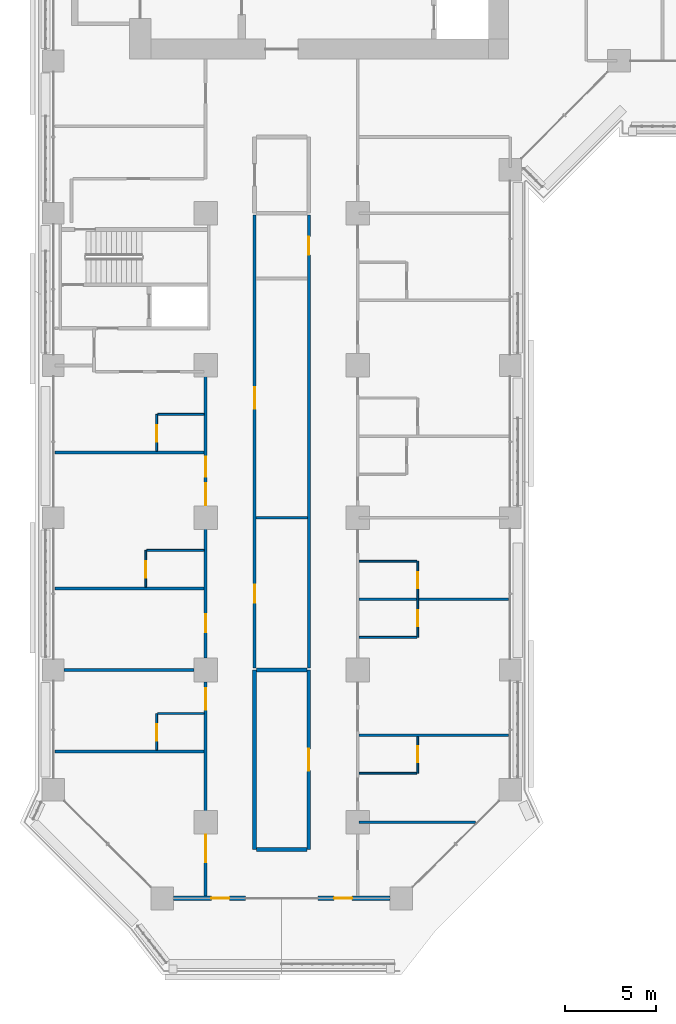
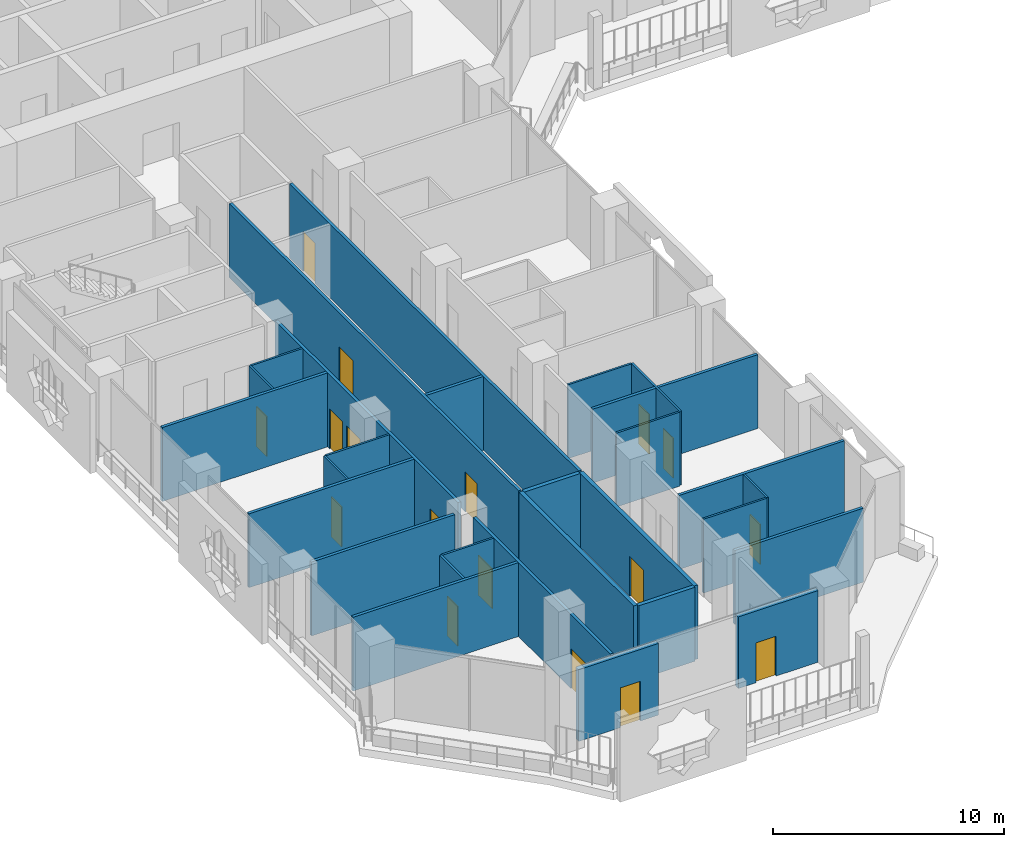
# One storey, part 13 of 28: 29 walls, 17 doors, 17 openings.
"""IFC4 building model written with IfcOpenShell, lengths in metres."""

from ifc_helpers import new_model, si_unit, direction, frame, frame_2d, origin, place, context, subcontext, project, spatial, rectangle, extrude, material, layer, layer_set, type_object, element, fill, save


model = new_model("IFC4")

# Units and contexts
model_context = context("Model", 3, precision=1e-05, world=origin(), true_north=direction((0.0, 1.0)))
body_context = subcontext(model_context, "Body", "Model", "MODEL_VIEW")
ifc_project = project(units=[si_unit("LENGTHUNIT", "METRE"), si_unit("AREAUNIT", "SQUARE_METRE"), si_unit("VOLUMEUNIT", "CUBIC_METRE"), si_unit("PLANEANGLEUNIT", "RADIAN"), si_unit("MASSUNIT", "GRAM", prefix="KILO")], contexts=[model_context])

# Site, building, storey
site_placement = place(None, origin())
site = spatial("IfcSite", under=ifc_project, at=site_placement, CompositionType="ELEMENT")
building_placement = place(site_placement, origin())
building = spatial("IfcBuilding", under=site, at=building_placement, Name="Kawkab Arch Medical Tower", CompositionType="ELEMENT")
storey_placement = place(building_placement, frame((0.0, 0.0, 81.199951171875)))
storey = spatial("IfcBuildingStorey", under=building, at=storey_placement, Name="L18", CompositionType="ELEMENT", Elevation=81.199951171875)

# Wall, opening, door
ifc_material_1 = material(Name="Bronze clad insulated wall panel")
ifc_layer_1 = layer(ifc_material_1, 0.25)
ifc_layer_set_1 = layer_set([ifc_layer_1], Name="Bronze clad insulated wall panel")
wall_type_1 = type_object("IfcWallType", Name="External wall bay 250", PredefinedType="SOLIDWALL", material=ifc_layer_set_1)
wall_1_placement = place(storey_placement, frame((6.625, -71.39990234375, 0.0), z_axis=(0.0, 0.0, 1.0), x_axis=(1.0, 0.0, 0.0)))
wall_1 = element("IfcWall", 1, at=wall_1_placement, inside=storey, type_object=wall_type_1, Name="External wall bay L18.R03.1.1", PredefinedType="SOLIDWALL", context=body_context, shape_type="SweptSolid", body=[
    extrude(rectangle(XDim=3.9833984375, YDim=0.25, at=frame_2d((1.99169921875, 0.0))), origin(), (0.0, 0.0, 1.0), 3.780029296875),
])
opening_1_placement = place(wall_1_placement, frame((2.091796875, 0.0, 0.0)))
opening_1 = element("IfcOpeningElement", 2, at=opening_1_placement, cuts=wall_1, Name="Opening W18-701", PredefinedType="OPENING", context=body_context, shape_type="SweptSolid", body=[
    extrude(rectangle(XDim=1.0, YDim=2.10009765625, at=frame_2d((0.5, 1.050048828125))), frame((0.0, 0.135009765625, 0.0), z_axis=(0.0, -1.0, 0.0), x_axis=(1.0, 0.0, 0.0)), (0.0, 0.0, 1.0), 0.27001953125),
])
ifc_material_2 = material(Name="Bronze anodised aluminium door with tinted glass", Category="aluminium")
door_type_1 = type_object("IfcDoorType", Name="Single external door 1000 x 2100", OperationType="SINGLE_SWING_LEFT", PredefinedType="DOOR", material=ifc_material_2)
door_1_placement = place(opening_1_placement, origin())
door_1 = element("IfcDoor", 3, at=door_1_placement, inside=storey, type_object=door_type_1, Name="External door L18.R03.1.1", OperationType="SINGLE_SWING_LEFT", OverallHeight=2.10009765625, OverallWidth=1.0, PredefinedType="DOOR", context=body_context, shape_type="SweptSolid", body=[
    extrude(rectangle(XDim=1.0, YDim=2.10009765625, at=frame_2d((0.5, 1.050048828125))), frame((0.0, 0.02490234375, 0.0), z_axis=(0.0, -1.0, 0.0), x_axis=(1.0, 0.0, 0.0)), (0.0, 0.0, 1.0), 0.050048828125),
])
fill(opening_1, door_1)

wall_2_placement = place(storey_placement, frame((14.591552734375, -71.39990234375, 0.0), z_axis=(0.0, 0.0, 1.0), x_axis=(1.0, 0.0, 0.0)))
wall_2 = element("IfcWall", 4, at=wall_2_placement, inside=storey, type_object=wall_type_1, Name="External wall bay L18.R03.1.3", PredefinedType="SOLIDWALL", context=body_context, shape_type="SweptSolid", body=[
    extrude(rectangle(XDim=3.9833984375, YDim=0.25, at=frame_2d((1.99169921875, 0.0))), origin(), (0.0, 0.0, 1.0), 3.780029296875),
])
opening_2_placement = place(wall_2_placement, frame((0.8916015625, 0.0, 0.0)))
opening_2 = element("IfcOpeningElement", 5, at=opening_2_placement, cuts=wall_2, Name="Opening W18-701", PredefinedType="OPENING", context=body_context, shape_type="SweptSolid", body=[
    extrude(rectangle(XDim=1.0, YDim=2.10009765625, at=frame_2d((0.5, 1.050048828125))), frame((0.0, 0.135009765625, 0.0), z_axis=(0.0, -1.0, 0.0), x_axis=(1.0, 0.0, 0.0)), (0.0, 0.0, 1.0), 0.27001953125),
])
door_2_placement = place(opening_2_placement, origin())
door_2 = element("IfcDoor", 6, at=door_2_placement, inside=storey, type_object=door_type_1, Name="External door L18.R03.1.3", OperationType="SINGLE_SWING_LEFT", OverallHeight=2.10009765625, OverallWidth=1.0, PredefinedType="DOOR", context=body_context, shape_type="SweptSolid", body=[
    extrude(rectangle(XDim=1.0, YDim=2.10009765625, at=frame_2d((0.5, 1.050048828125))), frame((0.0, 0.02490234375, 0.0), z_axis=(0.0, -1.0, 0.0), x_axis=(1.0, 0.0, 0.0)), (0.0, 0.0, 1.0), 0.050048828125),
])
fill(opening_2, door_2)

# Walls
ifc_material_3 = material(Name="Gypsum board partition on steel studs", Category="steel")
ifc_layer_2 = layer(ifc_material_3, 0.10009765625)
ifc_layer_set_2 = layer_set([ifc_layer_2], Name="Gypsum board partition on steel studs")
wall_type_2 = type_object("IfcWallType", Name="Partition 100", PredefinedType="PARTITIONING", material=ifc_layer_set_2)
wall_3_placement = place(storey_placement, frame((16.875, -64.5, 0.0), z_axis=(0.0, 0.0, 1.0), x_axis=(1.0, 0.0, 0.0)))
element("IfcWall", 7, at=wall_3_placement, inside=storey, type_object=wall_type_2, Name="Partition 100 w001", PredefinedType="PARTITIONING", context=body_context, shape_type="SweptSolid", body=[
    extrude(rectangle(XDim=3.175048828125, YDim=0.10009765625, at=frame_2d((1.58740234375, 0.0))), origin(), (0.0, 0.0, 1.0), 3.900146484375),
])
wall_4_placement = place(storey_placement, frame((5.75, -61.199951171875, 0.0), z_axis=(0.0, 0.0, 1.0), x_axis=(1.0, 0.0, 0.0)))
element("IfcWall", 8, at=wall_4_placement, inside=storey, type_object=wall_type_2, Name="Partition 100 w002", PredefinedType="PARTITIONING", context=body_context, shape_type="SweptSolid", body=[
    extrude(rectangle(XDim=2.574951171875, YDim=0.10009765625, at=frame_2d((1.28759765625, 0.0))), origin(), (0.0, 0.0, 1.0), 3.900146484375),
])
wall_5_placement = place(storey_placement, frame((16.875, -57.0, 0.0), z_axis=(0.0, 0.0, 1.0), x_axis=(1.0, 0.0, 0.0)))
element("IfcWall", 9, at=wall_5_placement, inside=storey, type_object=wall_type_2, Name="Partition 100 w003", PredefinedType="PARTITIONING", context=body_context, shape_type="SweptSolid", body=[
    extrude(rectangle(XDim=3.174072265625, YDim=0.10009765625, at=frame_2d((1.5869140625, 0.0))), origin(), (0.0, 0.0, 1.0), 3.900146484375),
])
wall_6_placement = place(storey_placement, frame((16.875, -52.800048828125, 0.0), z_axis=(0.0, 0.0, 1.0), x_axis=(1.0, 0.0, 0.0)))
element("IfcWall", 10, at=wall_6_placement, inside=storey, type_object=wall_type_2, Name="Partition 100 w004", PredefinedType="PARTITIONING", context=body_context, shape_type="SweptSolid", body=[
    extrude(rectangle(XDim=3.175048828125, YDim=0.10009765625, at=frame_2d((1.58740234375, 0.0))), origin(), (0.0, 0.0, 1.0), 3.900146484375),
])
wall_7_placement = place(storey_placement, frame((5.15087890625, -52.199951171875, 0.0), z_axis=(0.0, 0.0, 1.0), x_axis=(1.0, 0.0, 0.0)))
element("IfcWall", 11, at=wall_7_placement, inside=storey, type_object=wall_type_2, Name="Partition 100 w005", PredefinedType="PARTITIONING", context=body_context, shape_type="SweptSolid", body=[
    extrude(rectangle(XDim=3.174072265625, YDim=0.10009765625, at=frame_2d((1.5869140625, 0.0))), origin(), (0.0, 0.0, 1.0), 3.900146484375),
])
wall_8_placement = place(storey_placement, frame((5.75, -44.699951171875, 0.0), z_axis=(0.0, 0.0, 1.0), x_axis=(1.0, 0.0, 0.0)))
element("IfcWall", 12, at=wall_8_placement, inside=storey, type_object=wall_type_2, Name="Partition 100 w007", PredefinedType="PARTITIONING", context=body_context, shape_type="SweptSolid", body=[
    extrude(rectangle(XDim=2.574951171875, YDim=0.10009765625, at=frame_2d((1.28759765625, 0.0))), origin(), (0.0, 0.0, 1.0), 3.900146484375),
])

# Wall, opening, door
wall_9_placement = place(storey_placement, frame((5.10009765625, -54.22509765625, 0.0), z_axis=(0.0, 0.0, 1.0), x_axis=(0.0, 1.0, 0.0)))
wall_9 = element("IfcWall", 13, at=wall_9_placement, inside=storey, type_object=wall_type_2, Name="Partition 100 w020", PredefinedType="PARTITIONING", context=body_context, shape_type="SweptSolid", body=[
    extrude(rectangle(XDim=2.023193359375, YDim=0.10009765625, at=frame_2d((1.01171875, 0.0))), origin(), (0.0, 0.0, 1.0), 3.900146484375),
])
opening_3_placement = place(wall_9_placement, frame((0.52392578125, 0.0, 0.0)))
opening_3 = element("IfcOpeningElement", 14, at=opening_3_placement, cuts=wall_9, Name="Opening W18-016", PredefinedType="OPENING", context=body_context, shape_type="SweptSolid", body=[
    extrude(rectangle(XDim=0.89990234375, YDim=2.10009765625, at=frame_2d((0.449951171875, 1.050048828125))), frame((0.0, 0.06005859375, 0.0), z_axis=(0.0, -1.0, 0.0), x_axis=(1.0, 0.0, 0.0)), (0.0, 0.0, 1.0), 0.1201171875),
])
ifc_material_4 = material(Name="Timber door leaf", Category="wood")
door_type_2 = type_object("IfcDoorType", Name="Single door 900x2100", OperationType="NOTDEFINED", PredefinedType="DOOR", material=ifc_material_4)
door_3_placement = place(opening_3_placement, origin())
door_3 = element("IfcDoor", 15, at=door_3_placement, inside=storey, type_object=door_type_2, Name="Door W18-016", OperationType="SINGLE_SWING_RIGHT", OverallHeight=2.10009765625, OverallWidth=0.89990234375, PredefinedType="DOOR", context=body_context, shape_type="SweptSolid", body=[
    extrude(rectangle(XDim=0.89990234375, YDim=2.10009765625, at=frame_2d((0.449951171875, 1.050048828125))), frame((0.0, 0.02490234375, 0.0), z_axis=(0.0, -1.0, 0.0), x_axis=(1.0, 0.0, 0.0)), (0.0, 0.0, 1.0), 0.050048828125),
])
fill(opening_3, door_3)

wall_10_placement = place(storey_placement, frame((5.699951171875, -63.22509765625, 0.0), z_axis=(0.0, 0.0, 1.0), x_axis=(0.0, 1.0, 0.0)))
wall_10 = element("IfcWall", 16, at=wall_10_placement, inside=storey, type_object=wall_type_2, Name="Partition 100 w021", PredefinedType="PARTITIONING", context=body_context, shape_type="SweptSolid", body=[
    extrude(rectangle(XDim=2.025146484375, YDim=0.10009765625, at=frame_2d((1.0126953125, 0.0))), origin(), (0.0, 0.0, 1.0), 3.900146484375),
])
opening_4_placement = place(wall_10_placement, frame((0.52490234375, 0.0, 0.0)))
opening_4 = element("IfcOpeningElement", 17, at=opening_4_placement, cuts=wall_10, Name="Opening W18-017", PredefinedType="OPENING", context=body_context, shape_type="SweptSolid", body=[
    extrude(rectangle(XDim=0.89990234375, YDim=2.10009765625, at=frame_2d((0.449951171875, 1.050048828125))), frame((0.0, 0.06005859375, 0.0), z_axis=(0.0, -1.0, 0.0), x_axis=(1.0, 0.0, 0.0)), (0.0, 0.0, 1.0), 0.1201171875),
])
door_4_placement = place(opening_4_placement, origin())
door_4 = element("IfcDoor", 18, at=door_4_placement, inside=storey, type_object=door_type_2, Name="Door W18-017", OperationType="SINGLE_SWING_LEFT", OverallHeight=2.10009765625, OverallWidth=0.89990234375, PredefinedType="DOOR", context=body_context, shape_type="SweptSolid", body=[
    extrude(rectangle(XDim=0.89990234375, YDim=2.10009765625, at=frame_2d((0.449951171875, 1.050048828125))), frame((0.0, 0.02490234375, 0.0), z_axis=(0.0, -1.0, 0.0), x_axis=(1.0, 0.0, 0.0)), (0.0, 0.0, 1.0), 0.050048828125),
])
fill(opening_4, door_4)

wall_11_placement = place(storey_placement, frame((5.699951171875, -46.72509765625, 0.0), z_axis=(0.0, 0.0, 1.0), x_axis=(0.0, 1.0, 0.0)))
wall_11 = element("IfcWall", 19, at=wall_11_placement, inside=storey, type_object=wall_type_2, Name="Partition 100 w022", PredefinedType="PARTITIONING", context=body_context, shape_type="SweptSolid", body=[
    extrude(rectangle(XDim=2.025146484375, YDim=0.10009765625, at=frame_2d((1.0126953125, 0.0))), origin(), (0.0, 0.0, 1.0), 3.900146484375),
])
opening_5_placement = place(wall_11_placement, frame((0.52490234375, 0.0, 0.0)))
opening_5 = element("IfcOpeningElement", 20, at=opening_5_placement, cuts=wall_11, Name="Opening W18-015", PredefinedType="OPENING", context=body_context, shape_type="SweptSolid", body=[
    extrude(rectangle(XDim=0.89990234375, YDim=2.10009765625, at=frame_2d((0.449951171875, 1.050048828125))), frame((0.0, 0.06005859375, 0.0), z_axis=(0.0, -1.0, 0.0), x_axis=(1.0, 0.0, 0.0)), (0.0, 0.0, 1.0), 0.1201171875),
])
door_5_placement = place(opening_5_placement, origin())
door_5 = element("IfcDoor", 21, at=door_5_placement, inside=storey, type_object=door_type_2, Name="Door W18-015", OperationType="SINGLE_SWING_LEFT", OverallHeight=2.10009765625, OverallWidth=0.89990234375, PredefinedType="DOOR", context=body_context, shape_type="SweptSolid", body=[
    extrude(rectangle(XDim=0.89990234375, YDim=2.10009765625, at=frame_2d((0.449951171875, 1.050048828125))), frame((0.0, 0.02490234375, 0.0), z_axis=(0.0, -1.0, 0.0), x_axis=(1.0, 0.0, 0.0)), (0.0, 0.0, 1.0), 0.050048828125),
])
fill(opening_5, door_5)

wall_12_placement = place(storey_placement, frame((20.10009765625, -64.5, 0.0), z_axis=(0.0, 0.0, 1.0), x_axis=(0.0, 1.0, 0.0)))
wall_12 = element("IfcWall", 22, at=wall_12_placement, inside=storey, type_object=wall_type_2, Name="Partition 100 w025", PredefinedType="PARTITIONING", context=body_context, shape_type="SweptSolid", body=[
    extrude(rectangle(XDim=2.02490234375, YDim=0.10009765625, at=frame_2d((1.012451171875, 0.0))), origin(), (0.0, 0.0, 1.0), 3.900146484375),
])
opening_6_placement = place(wall_12_placement, frame((0.60009765625, 0.0, 0.0)))
opening_6 = element("IfcOpeningElement", 23, at=opening_6_placement, cuts=wall_12, Name="Opening W18-023", PredefinedType="OPENING", context=body_context, shape_type="SweptSolid", body=[
    extrude(rectangle(XDim=0.89990234375, YDim=2.10009765625, at=frame_2d((0.449951171875, 1.050048828125))), frame((0.0, 0.06005859375, 0.0), z_axis=(0.0, -1.0, 0.0), x_axis=(1.0, 0.0, 0.0)), (0.0, 0.0, 1.0), 0.1201171875),
])
door_6_placement = place(opening_6_placement, origin())
door_6 = element("IfcDoor", 24, at=door_6_placement, inside=storey, type_object=door_type_2, Name="Door W18-023", OperationType="SINGLE_SWING_LEFT", OverallHeight=2.10009765625, OverallWidth=0.89990234375, PredefinedType="DOOR", context=body_context, shape_type="SweptSolid", body=[
    extrude(rectangle(XDim=0.89990234375, YDim=2.10009765625, at=frame_2d((0.449951171875, 1.050048828125))), frame((0.0, 0.02490234375, 0.0), z_axis=(0.0, -1.0, 0.0), x_axis=(1.0, 0.0, 0.0)), (0.0, 0.0, 1.0), 0.050048828125),
])
fill(opening_6, door_6)

# Wall, openings, doors
wall_13_placement = place(storey_placement, frame((20.10009765625, -56.998046875, 0.0), z_axis=(0.0, 0.0, 1.0), x_axis=(0.0, 1.0, 0.0)))
wall_13 = element("IfcWall", 25, at=wall_13_placement, inside=storey, type_object=wall_type_2, Name="Partition 100 w026", PredefinedType="PARTITIONING", context=body_context, shape_type="SweptSolid", body=[
    extrude(rectangle(XDim=4.197998046875, YDim=0.10009765625, at=frame_2d((2.09912109375, 0.0))), origin(), (0.0, 0.0, 1.0), 3.900146484375),
])
opening_7_placement = place(wall_13_placement, frame((2.697998046875, 0.0, 0.0)))
opening_7 = element("IfcOpeningElement", 26, at=opening_7_placement, cuts=wall_13, Name="Opening W18-021", PredefinedType="OPENING", context=body_context, shape_type="SweptSolid", body=[
    extrude(rectangle(XDim=0.89990234375, YDim=2.10009765625, at=frame_2d((0.449951171875, 1.050048828125))), frame((0.0, 0.06005859375, 0.0), z_axis=(0.0, -1.0, 0.0), x_axis=(1.0, 0.0, 0.0)), (0.0, 0.0, 1.0), 0.1201171875),
])
opening_8_placement = place(wall_13_placement, frame((0.59912109375, 0.0, 0.0)))
opening_8 = element("IfcOpeningElement", 27, at=opening_8_placement, cuts=wall_13, Name="Opening W18-022", PredefinedType="OPENING", context=body_context, shape_type="SweptSolid", body=[
    extrude(rectangle(XDim=0.89990234375, YDim=2.10009765625, at=frame_2d((0.449951171875, 1.050048828125))), frame((0.0, 0.06005859375, 0.0), z_axis=(0.0, -1.0, 0.0), x_axis=(1.0, 0.0, 0.0)), (0.0, 0.0, 1.0), 0.1201171875),
])
door_7_placement = place(opening_7_placement, origin())
door_7 = element("IfcDoor", 28, at=door_7_placement, inside=storey, type_object=door_type_2, Name="Door W18-021", OperationType="SINGLE_SWING_LEFT", OverallHeight=2.10009765625, OverallWidth=0.89990234375, PredefinedType="DOOR", context=body_context, shape_type="SweptSolid", body=[
    extrude(rectangle(XDim=0.89990234375, YDim=2.10009765625, at=frame_2d((0.449951171875, 1.050048828125))), frame((0.0, 0.02490234375, 0.0), z_axis=(0.0, -1.0, 0.0), x_axis=(1.0, 0.0, 0.0)), (0.0, 0.0, 1.0), 0.050048828125),
])
fill(opening_7, door_7)
door_8_placement = place(opening_8_placement, origin())
door_8 = element("IfcDoor", 29, at=door_8_placement, inside=storey, type_object=door_type_2, Name="Door W18-022", OperationType="SINGLE_SWING_RIGHT", OverallHeight=2.10009765625, OverallWidth=0.89990234375, PredefinedType="DOOR", context=body_context, shape_type="SweptSolid", body=[
    extrude(rectangle(XDim=0.89990234375, YDim=2.10009765625, at=frame_2d((0.449951171875, 1.050048828125))), frame((0.0, 0.02490234375, 0.0), z_axis=(0.0, -1.0, 0.0), x_axis=(1.0, 0.0, 0.0)), (0.0, 0.0, 1.0), 0.050048828125),
])
fill(opening_8, door_8)

# Walls
ifc_material_5 = material(Name="Gypsum board partition on steel studs, mineral wool", Category="steel")
ifc_layer_3 = layer(ifc_material_5, 0.14990234375)
ifc_layer_set_3 = layer_set([ifc_layer_3], Name="Gypsum board partition on steel studs, mineral wool")
wall_type_3 = type_object("IfcWallType", Name="Partition 150", PredefinedType="PARTITIONING", material=ifc_layer_set_3)
wall_14_placement = place(storey_placement, frame((16.875, -67.199951171875, 0.0), z_axis=(0.0, 0.0, 1.0), x_axis=(1.0, 0.0, 0.0)))
element("IfcWall", 30, at=wall_14_placement, inside=storey, type_object=wall_type_3, Name="Partition 150 w039", PredefinedType="PARTITIONING", context=body_context, shape_type="SweptSolid", body=[
    extrude(rectangle(XDim=6.412109375, YDim=0.14990234375, at=frame_2d((3.2060546875, 0.0))), origin(), (0.0, 0.0, 1.0), 3.900146484375),
])
wall_15_placement = place(storey_placement, frame((0.080078125, -63.300048828125, 0.0), z_axis=(0.0, 0.0, 1.0), x_axis=(1.0, 0.0, 0.0)))
element("IfcWall", 31, at=wall_15_placement, inside=storey, type_object=wall_type_3, Name="Partition 150 w040", PredefinedType="PARTITIONING", context=body_context, shape_type="SweptSolid", body=[
    extrude(rectangle(XDim=8.244873046875, YDim=0.14990234375, at=frame_2d((4.12255859375, 0.0))), origin(), (0.0, 0.0, 1.0), 3.900146484375),
])
wall_16_placement = place(storey_placement, frame((16.875, -62.39990234375, 0.0), z_axis=(0.0, 0.0, 1.0), x_axis=(1.0, 0.0, 0.0)))
element("IfcWall", 32, at=wall_16_placement, inside=storey, type_object=wall_type_3, Name="Partition 150 w041", PredefinedType="PARTITIONING", context=body_context, shape_type="SweptSolid", body=[
    extrude(rectangle(XDim=8.2451171875, YDim=0.14990234375, at=frame_2d((4.12255859375, 0.0))), origin(), (0.0, 0.0, 1.0), 3.900146484375),
])
wall_17_placement = place(storey_placement, frame((0.60009765625, -58.800048828125, 0.0), z_axis=(0.0, 0.0, 1.0), x_axis=(1.0, 0.0, 0.0)))
element("IfcWall", 33, at=wall_17_placement, inside=storey, type_object=wall_type_3, Name="Partition 150 w042", PredefinedType="PARTITIONING", context=body_context, shape_type="SweptSolid", body=[
    extrude(rectangle(XDim=7.14990234375, YDim=0.14990234375, at=frame_2d((3.574951171875, 0.0))), origin(), (0.0, 0.0, 1.0), 3.900146484375),
])
wall_18_placement = place(storey_placement, frame((16.875, -54.89990234375, 0.0), z_axis=(0.0, 0.0, 1.0), x_axis=(1.0, 0.0, 0.0)))
element("IfcWall", 34, at=wall_18_placement, inside=storey, type_object=wall_type_3, Name="Partition 150 w043", PredefinedType="PARTITIONING", context=body_context, shape_type="SweptSolid", body=[
    extrude(rectangle(XDim=8.2451171875, YDim=0.14990234375, at=frame_2d((4.12255859375, 0.0))), origin(), (0.0, 0.0, 1.0), 3.900146484375),
])
wall_19_placement = place(storey_placement, frame((0.080078125, -54.300048828125, 0.0), z_axis=(0.0, 0.0, 1.0), x_axis=(1.0, 0.0, 0.0)))
element("IfcWall", 35, at=wall_19_placement, inside=storey, type_object=wall_type_3, Name="Partition 150 w044", PredefinedType="PARTITIONING", context=body_context, shape_type="SweptSolid", body=[
    extrude(rectangle(XDim=8.244873046875, YDim=0.14990234375, at=frame_2d((4.12255859375, 0.0))), origin(), (0.0, 0.0, 1.0), 3.900146484375),
])
wall_20_placement = place(storey_placement, frame((11.175048828125, -50.39990234375, 0.0), z_axis=(0.0, 0.0, 1.0), x_axis=(1.0, 0.0, 0.0)))
element("IfcWall", 36, at=wall_20_placement, inside=storey, type_object=wall_type_3, Name="Partition 150 w045", PredefinedType="PARTITIONING", context=body_context, shape_type="SweptSolid", body=[
    extrude(rectangle(XDim=2.849853515625, YDim=0.14990234375, at=frame_2d((1.4248046875, 0.0))), origin(), (0.0, 0.0, 1.0), 3.900146484375),
])
wall_21_placement = place(storey_placement, frame((0.080078125, -46.800048828125, 0.0), z_axis=(0.0, 0.0, 1.0), x_axis=(1.0, 0.0, 0.0)))
element("IfcWall", 37, at=wall_21_placement, inside=storey, type_object=wall_type_3, Name="Partition 150 w047", PredefinedType="PARTITIONING", context=body_context, shape_type="SweptSolid", body=[
    extrude(rectangle(XDim=8.244873046875, YDim=0.14990234375, at=frame_2d((4.12255859375, 0.0))), origin(), (0.0, 0.0, 1.0), 3.900146484375),
])

# Wall, openings, doors
wall_22_placement = place(storey_placement, frame((8.39990234375, -71.320068359375, 0.0), z_axis=(0.0, 0.0, 1.0), x_axis=(0.0, 1.0, 0.0)))
wall_22 = element("IfcWall", 38, at=wall_22_placement, inside=storey, type_object=wall_type_3, Name="Partition 150 w071", PredefinedType="PARTITIONING", context=body_context, shape_type="SweptSolid", body=[
    extrude(rectangle(XDim=11.8701171875, YDim=0.14990234375, at=frame_2d((5.93505859375, 0.0))), origin(), (0.0, 0.0, 1.0), 3.900146484375),
])
opening_9_placement = place(wall_22_placement, frame((10.320068359375, 0.0, 0.0)))
opening_9 = element("IfcOpeningElement", 39, at=opening_9_placement, cuts=wall_22, Name="Opening W18-063", PredefinedType="OPENING", context=body_context, shape_type="SweptSolid", body=[
    extrude(rectangle(XDim=1.199951171875, YDim=2.10009765625, at=frame_2d((0.60009765625, 1.050048828125))), frame((0.0, 0.0849609375, 0.0), z_axis=(0.0, -1.0, 0.0), x_axis=(1.0, 0.0, 0.0)), (0.0, 0.0, 1.0), 0.169921875),
])
opening_10_placement = place(wall_22_placement, frame((1.919921875, 0.0, 0.0)))
opening_10 = element("IfcOpeningElement", 40, at=opening_10_placement, cuts=wall_22, Name="Opening W18-002", PredefinedType="OPENING", context=body_context, shape_type="SweptSolid", body=[
    extrude(rectangle(XDim=1.5, YDim=2.10009765625, at=frame_2d((0.75, 1.050048828125))), frame((0.0, 0.0849609375, 0.0), z_axis=(0.0, -1.0, 0.0), x_axis=(1.0, 0.0, 0.0)), (0.0, 0.0, 1.0), 0.169921875),
])
ifc_material_6 = material(Name="Hollow metal door leaf")
door_type_3 = type_object("IfcDoorType", Name="Double door 1500x2100 FD30S", OperationType="NOTDEFINED", PredefinedType="DOOR", material=ifc_material_6)
door_9_placement = place(opening_10_placement, origin())
door_9 = element("IfcDoor", 41, at=door_9_placement, inside=storey, type_object=door_type_3, Name="Door W18-002", OperationType="DOUBLE_DOOR_SINGLE_SWING", OverallHeight=2.10009765625, OverallWidth=1.5, PredefinedType="DOOR", context=body_context, shape_type="SweptSolid", body=[
    extrude(rectangle(XDim=1.5, YDim=2.10009765625, at=frame_2d((0.75, 1.050048828125))), frame((0.0, 0.02490234375, 0.0), z_axis=(0.0, -1.0, 0.0), x_axis=(1.0, 0.0, 0.0)), (0.0, 0.0, 1.0), 0.050048828125),
])
fill(opening_10, door_9)
ifc_material_7 = material(Name="Hollow metal door leaf")
door_type_4 = type_object("IfcDoorType", Name="Single door 1200x2100 FD30S", OperationType="NOTDEFINED", PredefinedType="DOOR", material=ifc_material_7)
door_10_placement = place(opening_9_placement, origin())
door_10 = element("IfcDoor", 42, at=door_10_placement, inside=storey, type_object=door_type_4, Name="Door W18-063", OperationType="SINGLE_SWING_RIGHT", OverallHeight=2.10009765625, OverallWidth=1.199951171875, PredefinedType="DOOR", context=body_context, shape_type="SweptSolid", body=[
    extrude(rectangle(XDim=1.199951171875, YDim=2.10009765625, at=frame_2d((0.60009765625, 1.050048828125))), frame((0.0, 0.02490234375, 0.0), z_axis=(0.0, -1.0, 0.0), x_axis=(1.0, 0.0, 0.0)), (0.0, 0.0, 1.0), 0.050048828125),
])
fill(opening_9, door_10)

wall_23_placement = place(storey_placement, frame((8.39990234375, -58.14990234375, 0.0), z_axis=(0.0, 0.0, 1.0), x_axis=(0.0, 1.0, 0.0)))
wall_23 = element("IfcWall", 43, at=wall_23_placement, inside=storey, type_object=wall_type_3, Name="Partition 150 w072", PredefinedType="PARTITIONING", context=body_context, shape_type="SweptSolid", body=[
    extrude(rectangle(XDim=15.7998046875, YDim=0.14990234375, at=frame_2d((7.89990234375, 0.0))), origin(), (0.0, 0.0, 1.0), 3.900146484375),
])
opening_11_placement = place(wall_23_placement, frame((8.449951171875, 0.0, 0.0)))
opening_11 = element("IfcOpeningElement", 44, at=opening_11_placement, cuts=wall_23, Name="Opening W18-062", PredefinedType="OPENING", context=body_context, shape_type="SweptSolid", body=[
    extrude(rectangle(XDim=1.199951171875, YDim=2.10009765625, at=frame_2d((0.60009765625, 1.050048828125))), frame((0.0, 0.0849609375, 0.0), z_axis=(0.0, -1.0, 0.0), x_axis=(1.0, 0.0, 0.0)), (0.0, 0.0, 1.0), 0.169921875),
])
opening_12_placement = place(wall_23_placement, frame((10.0, 0.0, 0.0)))
opening_12 = element("IfcOpeningElement", 45, at=opening_12_placement, cuts=wall_23, Name="Opening W18-043", PredefinedType="OPENING", context=body_context, shape_type="SweptSolid", body=[
    extrude(rectangle(XDim=1.10009765625, YDim=2.10009765625, at=frame_2d((0.550048828125, 1.050048828125))), frame((0.0, 0.0849609375, 0.0), z_axis=(0.0, -1.0, 0.0), x_axis=(1.0, 0.0, 0.0)), (0.0, 0.0, 1.0), 0.169921875),
])
opening_13_placement = place(wall_23_placement, frame((1.425048828125, 0.0, 0.0)))
opening_13 = element("IfcOpeningElement", 46, at=opening_13_placement, cuts=wall_23, Name="Opening W18-026", PredefinedType="OPENING", context=body_context, shape_type="SweptSolid", body=[
    extrude(rectangle(XDim=1.0, YDim=2.10009765625, at=frame_2d((0.5, 1.050048828125))), frame((0.0, 0.0849609375, 0.0), z_axis=(0.0, -1.0, 0.0), x_axis=(1.0, 0.0, 0.0)), (0.0, 0.0, 1.0), 0.169921875),
])
ifc_material_8 = material(Name="Timber door leaf", Category="wood")
door_type_5 = type_object("IfcDoorType", Name="Single door 1000x2100", OperationType="NOTDEFINED", PredefinedType="DOOR", material=ifc_material_8)
door_11_placement = place(opening_13_placement, origin())
door_11 = element("IfcDoor", 47, at=door_11_placement, inside=storey, type_object=door_type_5, Name="Door W18-026", OperationType="SINGLE_SWING_LEFT", OverallHeight=2.10009765625, OverallWidth=1.0, PredefinedType="DOOR", context=body_context, shape_type="SweptSolid", body=[
    extrude(rectangle(XDim=1.0, YDim=2.10009765625, at=frame_2d((0.5, 1.050048828125))), frame((0.0, 0.02490234375, 0.0), z_axis=(0.0, -1.0, 0.0), x_axis=(1.0, 0.0, 0.0)), (0.0, 0.0, 1.0), 0.050048828125),
])
fill(opening_13, door_11)
ifc_material_9 = material(Name="Hollow metal door leaf")
door_type_6 = type_object("IfcDoorType", Name="Single door 1100x2100 FD30S", OperationType="NOTDEFINED", PredefinedType="DOOR", material=ifc_material_9)
door_12_placement = place(opening_12_placement, origin())
door_12 = element("IfcDoor", 48, at=door_12_placement, inside=storey, type_object=door_type_6, Name="Door W18-043", OperationType="SINGLE_SWING_RIGHT", OverallHeight=2.10009765625, OverallWidth=1.10009765625, PredefinedType="DOOR", context=body_context, shape_type="SweptSolid", body=[
    extrude(rectangle(XDim=1.10009765625, YDim=2.10009765625, at=frame_2d((0.550048828125, 1.050048828125))), frame((0.0, 0.02490234375, 0.0), z_axis=(0.0, -1.0, 0.0), x_axis=(1.0, 0.0, 0.0)), (0.0, 0.0, 1.0), 0.050048828125),
])
fill(opening_12, door_12)
door_13_placement = place(opening_11_placement, origin())
door_13 = element("IfcDoor", 49, at=door_13_placement, inside=storey, type_object=door_type_4, Name="Door W18-062", OperationType="SINGLE_SWING_RIGHT", OverallHeight=2.10009765625, OverallWidth=1.199951171875, PredefinedType="DOOR", context=body_context, shape_type="SweptSolid", body=[
    extrude(rectangle(XDim=1.199951171875, YDim=2.10009765625, at=frame_2d((0.60009765625, 1.050048828125))), frame((0.0, 0.02490234375, 0.0), z_axis=(0.0, -1.0, 0.0), x_axis=(1.0, 0.0, 0.0)), (0.0, 0.0, 1.0), 0.050048828125),
])
fill(opening_11, door_13)

wall_24_placement = place(storey_placement, frame((11.10009765625, -58.699951171875, 0.0), z_axis=(0.0, 0.0, 1.0), x_axis=(0.0, 1.0, 0.0)))
wall_24 = element("IfcWall", 50, at=wall_24_placement, inside=storey, type_object=wall_type_3, Name="Partition 150 w074", PredefinedType="PARTITIONING", context=body_context, shape_type="SweptSolid", body=[
    extrude(rectangle(XDim=25.0, YDim=0.14990234375, at=frame_2d((12.5, 0.0))), origin(), (0.0, 0.0, 1.0), 3.900146484375),
])
opening_14_placement = place(wall_24_placement, frame((14.300048828125, 0.0, 0.0)))
opening_14 = element("IfcOpeningElement", 51, at=opening_14_placement, cuts=wall_24, Name="Opening W18-064", PredefinedType="OPENING", context=body_context, shape_type="SweptSolid", body=[
    extrude(rectangle(XDim=1.199951171875, YDim=2.10009765625, at=frame_2d((0.60009765625, 1.050048828125))), frame((0.0, 0.0849609375, 0.0), z_axis=(0.0, -1.0, 0.0), x_axis=(1.0, 0.0, 0.0)), (0.0, 0.0, 1.0), 0.169921875),
])
opening_15_placement = place(wall_24_placement, frame((3.60009765625, 0.0, 0.0)))
opening_15 = element("IfcOpeningElement", 52, at=opening_15_placement, cuts=wall_24, Name="Opening W18-039", PredefinedType="OPENING", context=body_context, shape_type="SweptSolid", body=[
    extrude(rectangle(XDim=1.0, YDim=2.10009765625, at=frame_2d((0.5, 1.050048828125))), frame((0.0, 0.0849609375, 0.0), z_axis=(0.0, -1.0, 0.0), x_axis=(1.0, 0.0, 0.0)), (0.0, 0.0, 1.0), 0.169921875),
])
ifc_material_10 = material(Name="Hollow metal door leaf")
door_type_7 = type_object("IfcDoorType", Name="Single door 1000x2100 FD30S", OperationType="NOTDEFINED", PredefinedType="DOOR", material=ifc_material_10)
door_14_placement = place(opening_15_placement, origin())
door_14 = element("IfcDoor", 53, at=door_14_placement, inside=storey, type_object=door_type_7, Name="Door W18-039", OperationType="SINGLE_SWING_RIGHT", OverallHeight=2.10009765625, OverallWidth=1.0, PredefinedType="DOOR", context=body_context, shape_type="SweptSolid", body=[
    extrude(rectangle(XDim=1.0, YDim=2.10009765625, at=frame_2d((0.5, 1.050048828125))), frame((0.0, 0.02490234375, 0.0), z_axis=(0.0, -1.0, 0.0), x_axis=(1.0, 0.0, 0.0)), (0.0, 0.0, 1.0), 0.050048828125),
])
fill(opening_15, door_14)
door_15_placement = place(opening_14_placement, origin())
door_15 = element("IfcDoor", 54, at=door_15_placement, inside=storey, type_object=door_type_4, Name="Door W18-064", OperationType="SINGLE_SWING_LEFT", OverallHeight=2.10009765625, OverallWidth=1.199951171875, PredefinedType="DOOR", context=body_context, shape_type="SweptSolid", body=[
    extrude(rectangle(XDim=1.199951171875, YDim=2.10009765625, at=frame_2d((0.60009765625, 1.050048828125))), frame((0.0, 0.02490234375, 0.0), z_axis=(0.0, -1.0, 0.0), x_axis=(1.0, 0.0, 0.0)), (0.0, 0.0, 1.0), 0.050048828125),
])
fill(opening_14, door_15)

# Wall, opening, door
wall_25_placement = place(storey_placement, frame((14.10009765625, -58.699951171875, 0.0), z_axis=(0.0, 0.0, 1.0), x_axis=(0.0, 1.0, 0.0)))
wall_25 = element("IfcWall", 55, at=wall_25_placement, inside=storey, type_object=wall_type_3, Name="Partition 150 w075", PredefinedType="PARTITIONING", context=body_context, shape_type="SweptSolid", body=[
    extrude(rectangle(XDim=25.0, YDim=0.14990234375, at=frame_2d((12.5, 0.0))), origin(), (0.0, 0.0, 1.0), 3.900146484375),
])
opening_16_placement = place(wall_25_placement, frame((22.800048828125, 0.0, 0.0)))
opening_16 = element("IfcOpeningElement", 56, at=opening_16_placement, cuts=wall_25, Name="Opening W18-038", PredefinedType="OPENING", context=body_context, shape_type="SweptSolid", body=[
    extrude(rectangle(XDim=1.0, YDim=2.10009765625, at=frame_2d((0.5, 1.050048828125))), frame((0.0, 0.0849609375, 0.0), z_axis=(0.0, -1.0, 0.0), x_axis=(1.0, 0.0, 0.0)), (0.0, 0.0, 1.0), 0.169921875),
])
door_16_placement = place(opening_16_placement, origin())
door_16 = element("IfcDoor", 57, at=door_16_placement, inside=storey, type_object=door_type_7, Name="Door W18-038", OperationType="SINGLE_SWING_RIGHT", OverallHeight=2.10009765625, OverallWidth=1.0, PredefinedType="DOOR", context=body_context, shape_type="SweptSolid", body=[
    extrude(rectangle(XDim=1.0, YDim=2.10009765625, at=frame_2d((0.5, 1.050048828125))), frame((0.0, 0.02490234375, 0.0), z_axis=(0.0, -1.0, 0.0), x_axis=(1.0, 0.0, 0.0)), (0.0, 0.0, 1.0), 0.050048828125),
])
fill(opening_16, door_16)

# Walls
ifc_material_11 = material(Name="Fire-rated gypsum board partition on steel studs", Category="steel")
ifc_layer_4 = layer(ifc_material_11, 0.199951171875)
ifc_layer_set_4 = layer_set([ifc_layer_4], Name="Fire-rated gypsum board partition on steel studs")
wall_type_4 = type_object("IfcWallType", Name="Protected partition 200", PredefinedType="PARTITIONING", material=ifc_layer_set_4)
for number, where, z_axis, x_axis, name in (
    (58, (11.199951171875, -68.699951171875, 0.0), (0.0, 0.0, 1.0), (1.0, 0.0, 0.0), "Protected partition 200 w105"),
    (59, (11.199951171875, -58.800048828125, 0.0), (0.0, 0.0, 1.0), (1.0, 0.0, 0.0), "Protected partition 200 w106"),
):
    element("IfcWall", number, at=place(storey_placement, frame(where, z_axis=z_axis, x_axis=x_axis)), inside=storey, type_object=wall_type_4, Name=name, PredefinedType="PARTITIONING", context=body_context, shape_type="SweptSolid", body=[
        extrude(rectangle(XDim=2.800048828125, YDim=0.199951171875, at=frame_2d((1.39990234375, 0.0))), origin(), (0.0, 0.0, 1.0), 3.900146484375),
    ])
wall_26_placement = place(storey_placement, frame((11.10009765625, -68.699951171875, 0.0), z_axis=(0.0, 0.0, 1.0), x_axis=(0.0, 1.0, 0.0)))
element("IfcWall", 60, at=wall_26_placement, inside=storey, type_object=wall_type_4, Name="Protected partition 200 w109", PredefinedType="PARTITIONING", context=body_context, shape_type="SweptSolid", body=[
    extrude(rectangle(XDim=9.89990234375, YDim=0.199951171875, at=frame_2d((4.949951171875, 0.0))), origin(), (0.0, 0.0, 1.0), 3.900146484375),
])

# Wall, opening, door
wall_27_placement = place(storey_placement, frame((14.10009765625, -68.699951171875, 0.0), z_axis=(0.0, 0.0, 1.0), x_axis=(0.0, 1.0, 0.0)))
wall_27 = element("IfcWall", 61, at=wall_27_placement, inside=storey, type_object=wall_type_4, Name="Protected partition 200 w111", PredefinedType="PARTITIONING", context=body_context, shape_type="SweptSolid", body=[
    extrude(rectangle(XDim=9.89990234375, YDim=0.199951171875, at=frame_2d((4.949951171875, 0.0))), origin(), (0.0, 0.0, 1.0), 3.900146484375),
])
opening_17_placement = place(wall_27_placement, frame((4.35009765625, 0.0, 0.0)))
opening_17 = element("IfcOpeningElement", 62, at=opening_17_placement, cuts=wall_27, Name="Opening W18-072", PredefinedType="OPENING", context=body_context, shape_type="SweptSolid", body=[
    extrude(rectangle(XDim=1.199951171875, YDim=2.10009765625, at=frame_2d((0.60009765625, 1.050048828125))), frame((0.0, 0.10986328125, 0.0), z_axis=(0.0, -1.0, 0.0), x_axis=(1.0, 0.0, 0.0)), (0.0, 0.0, 1.0), 0.219970703125),
])
ifc_material_12 = material(Name="Hollow metal door leaf")
door_type_8 = type_object("IfcDoorType", Name="Single door 1200x2100 FD60", OperationType="NOTDEFINED", PredefinedType="DOOR", material=ifc_material_12)
door_17_placement = place(opening_17_placement, origin())
door_17 = element("IfcDoor", 63, at=door_17_placement, inside=storey, type_object=door_type_8, Name="Door W18-072", OperationType="SINGLE_SWING_LEFT", OverallHeight=2.10009765625, OverallWidth=1.199951171875, PredefinedType="DOOR", context=body_context, shape_type="SweptSolid", body=[
    extrude(rectangle(XDim=1.199951171875, YDim=2.10009765625, at=frame_2d((0.60009765625, 1.050048828125))), frame((0.0, 0.02490234375, 0.0), z_axis=(0.0, -1.0, 0.0), x_axis=(1.0, 0.0, 0.0)), (0.0, 0.0, 1.0), 0.050048828125),
])
fill(opening_17, door_17)

save(model, "model.ifc")
